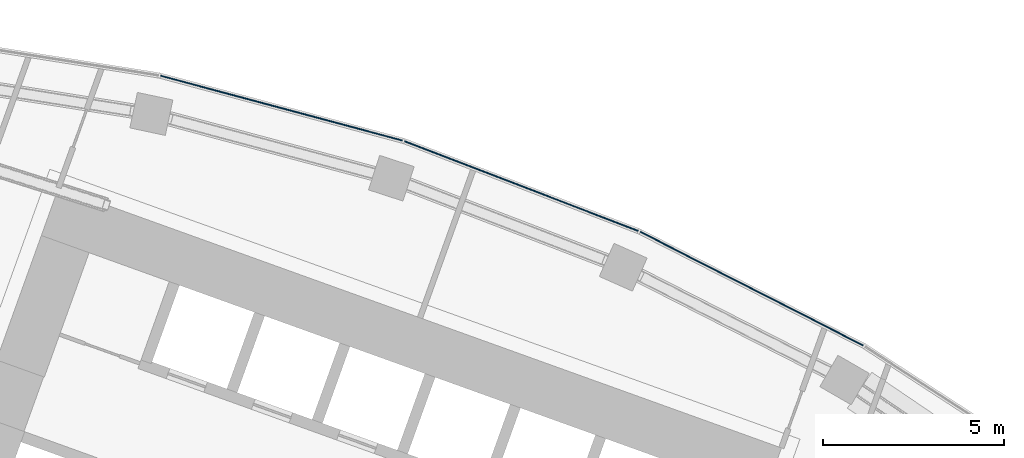
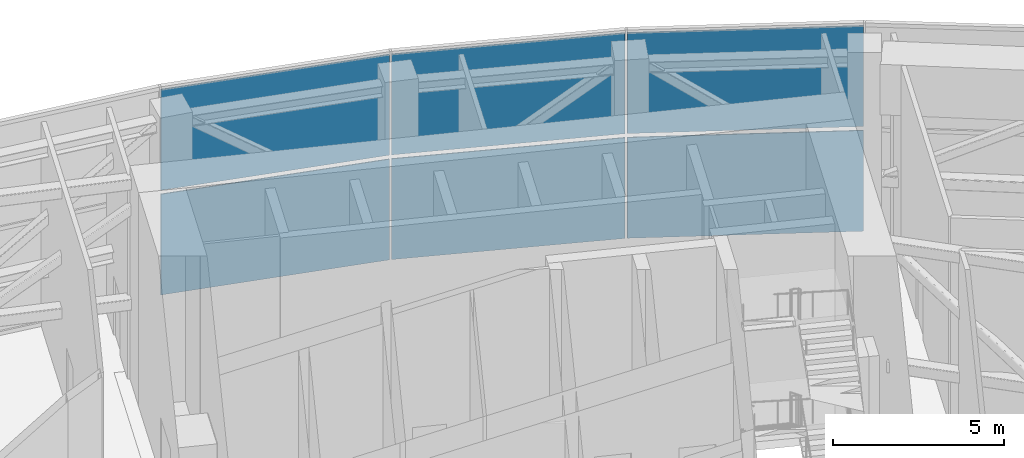
# One storey, part 20 of 32: 6 plates, 1 element without a shape of its own.
"""IFC4 building model written with IfcOpenShell, lengths in metres."""

from ifc_helpers import new_model, si_unit, direction, frame, origin, origin_2d, place, context, subcontext, project, spatial, rectangle, extrude, material, layer, layer_set, type_object, element, aggregate, save


model = new_model("IFC4")

# Units and contexts
model_context = context("Model", 3, precision=1e-05, world=origin(), true_north=direction((0.0, 1.0)))
body_context = subcontext(model_context, "Body", "Model", "MODEL_VIEW")
ifc_project = project(units=[si_unit("LENGTHUNIT", "METRE"), si_unit("AREAUNIT", "SQUARE_METRE"), si_unit("VOLUMEUNIT", "CUBIC_METRE"), si_unit("PLANEANGLEUNIT", "RADIAN"), si_unit("MASSUNIT", "GRAM", prefix="KILO")], contexts=[model_context])

# Site, building, storey
site_placement = place(None, origin())
site = spatial("IfcSite", under=ifc_project, at=site_placement, CompositionType="ELEMENT")
building_placement = place(site_placement, origin())
building = spatial("IfcBuilding", under=site, at=building_placement, Name="Stone Belt Terrace Tower", CompositionType="ELEMENT")
storey_placement = place(building_placement, frame((0.0, 0.0, 193.39990234375)))
storey = spatial("IfcBuildingStorey", under=building, at=storey_placement, Name="L47", CompositionType="ELEMENT", Elevation=193.39990234375)

# Curtain wall, plates
ifc_material_1 = material(Name="Aluminium 6063-T6 anodised frame", Category="aluminium")
ifc_layer_1 = layer(ifc_material_1, 0.14990234375)
ifc_layer_set_1 = layer_set([ifc_layer_1], Name="CW-A unitised convex-face curtain wall")
curtain_wall_type = type_object("IfcCurtainWallType", Name="CW-A unitised convex-face curtain wall", PredefinedType="NOTDEFINED", material=ifc_layer_set_1)
curtain_wall_placement = place(storey_placement, origin())
curtain_wall = element("IfcCurtainWall", 1, at=curtain_wall_placement, inside=storey, type_object=curtain_wall_type, Name="CW-A convex face L47", PredefinedType="NOTDEFINED")
ifc_material_2 = material(Name="Terracotta coloured glazed ceramic", Category="masonry")
ifc_layer_2 = layer(ifc_material_2, 0.031982421875)
ifc_layer_set_2 = layer_set([ifc_layer_2], Name="CW-A ceramic louvre panel 32")
plate_type = type_object("IfcPlateType", Name="CW-A ceramic louvre panel 32", PredefinedType="CURTAIN_PANEL", material=ifc_layer_set_2)
plate_1_placement = place(storey_placement, frame((30.18310546875, 59.237548828125, 0.14013671875), z_axis=(0.0, 0.0, 1.0), x_axis=(-0.891006524188, 0.45399049974, 0.0)))
plate_1 = element("IfcPlate", 2, at=plate_1_placement, type_object=plate_type, Name="CW-A louvre panel 4.1", PredefinedType="CURTAIN_PANEL", context=body_context, shape_type="SweptSolid", body=[
    extrude(rectangle(XDim=6.90087890625, YDim=0.031982421875, at=origin_2d()), origin(), (0.0, 0.0, 1.0), 3.590087890625),
])
plate_2_placement = place(storey_placement, frame((30.18310546875, 59.237548828125, 3.8701171875), z_axis=(0.0, 0.0, 1.0), x_axis=(-0.891006524188, 0.45399049974, 0.0)))
plate_2 = element("IfcPlate", 3, at=plate_2_placement, type_object=plate_type, Name="CW-A louvre panel 4.2", PredefinedType="CURTAIN_PANEL", context=body_context, shape_type="SweptSolid", body=[
    extrude(rectangle(XDim=6.90087890625, YDim=0.031982421875, at=origin_2d()), origin(), (0.0, 0.0, 1.0), 3.590087890625),
])
plate_3_placement = place(storey_placement, frame((23.82568359375, 62.068115234375, 0.14013671875), z_axis=(0.0, 0.0, 1.0), x_axis=(-0.933580426497, 0.358367949545, 0.0)))
plate_3 = element("IfcPlate", 4, at=plate_3_placement, type_object=plate_type, Name="CW-A louvre panel 5.1", PredefinedType="CURTAIN_PANEL", context=body_context, shape_type="SweptSolid", body=[
    extrude(rectangle(XDim=6.90087890625, YDim=0.031982421875, at=origin_2d()), origin(), (0.0, 0.0, 1.0), 3.590087890625),
])
plate_4_placement = place(storey_placement, frame((23.82568359375, 62.068115234375, 3.8701171875), z_axis=(0.0, 0.0, 1.0), x_axis=(-0.933580426497, 0.358367949545, 0.0)))
plate_4 = element("IfcPlate", 5, at=plate_4_placement, type_object=plate_type, Name="CW-A louvre panel 5.2", PredefinedType="CURTAIN_PANEL", context=body_context, shape_type="SweptSolid", body=[
    extrude(rectangle(XDim=6.90087890625, YDim=0.031982421875, at=origin_2d()), origin(), (0.0, 0.0, 1.0), 3.590087890625),
])
plate_5_placement = place(storey_placement, frame((17.207275390625, 64.218505859375, 0.14013671875), z_axis=(0.0, 0.0, 1.0), x_axis=(-0.965925826289, 0.258819045103, 0.0)))
plate_5 = element("IfcPlate", 6, at=plate_5_placement, type_object=plate_type, Name="CW-A louvre panel 6.1", PredefinedType="CURTAIN_PANEL", context=body_context, shape_type="SweptSolid", body=[
    extrude(rectangle(XDim=6.90087890625, YDim=0.031982421875, at=origin_2d()), origin(), (0.0, 0.0, 1.0), 3.590087890625),
])
plate_6_placement = place(storey_placement, frame((17.207275390625, 64.218505859375, 3.8701171875), z_axis=(0.0, 0.0, 1.0), x_axis=(-0.965925826289, 0.258819045103, 0.0)))
plate_6 = element("IfcPlate", 7, at=plate_6_placement, type_object=plate_type, Name="CW-A louvre panel 6.2", PredefinedType="CURTAIN_PANEL", context=body_context, shape_type="SweptSolid", body=[
    extrude(rectangle(XDim=6.90087890625, YDim=0.031982421875, at=origin_2d()), origin(), (0.0, 0.0, 1.0), 3.590087890625),
])
aggregate(curtain_wall, [plate_1, plate_2, plate_3, plate_4, plate_5, plate_6])

save(model, "model.ifc")
